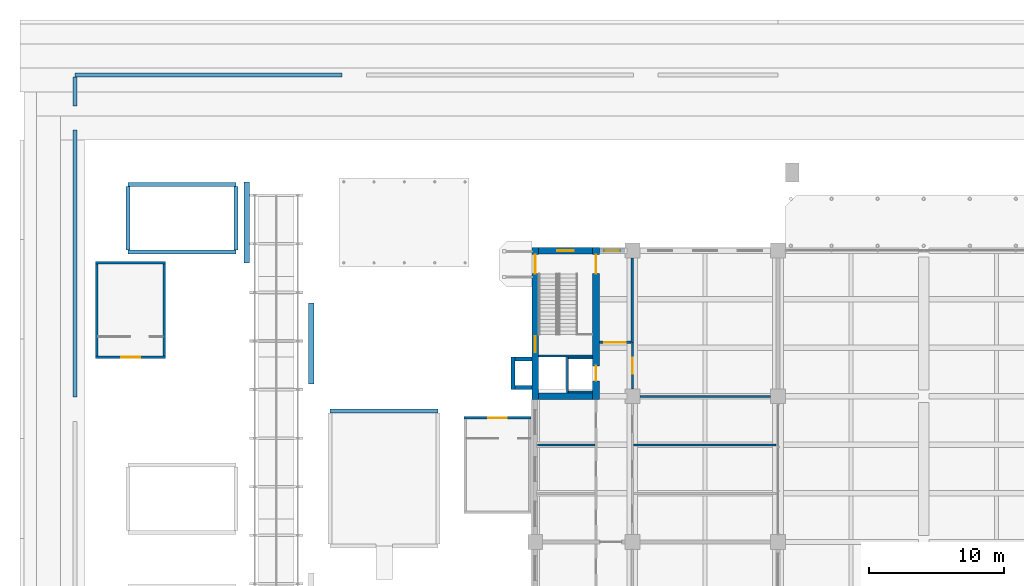
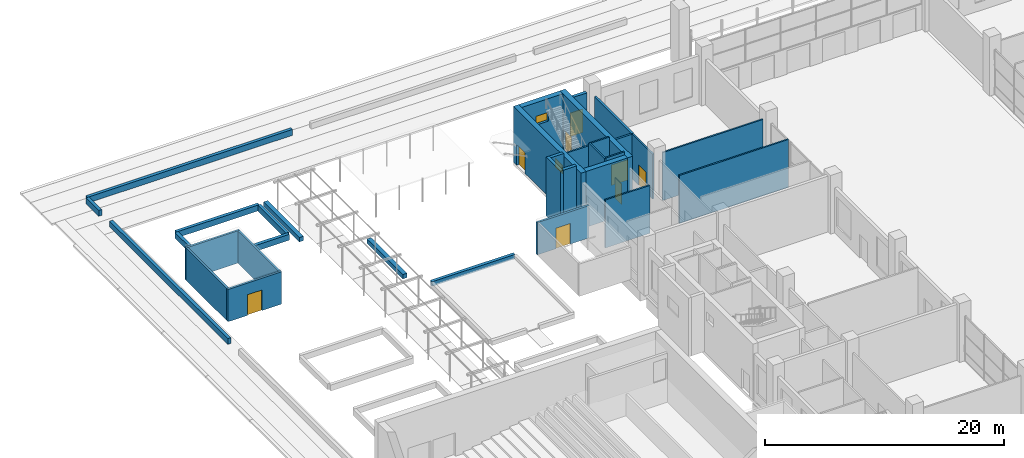
# One storey, part 55 of 71: 33 walls, 7 doors, 3 windows, 10 openings.
"""IFC4 building model written with IfcOpenShell, lengths in metres."""

from ifc_helpers import new_model, si_unit, direction, frame, frame_2d, origin, place, context, subcontext, project, spatial, rectangle, extrude, material, layer, layer_set, type_object, element, fill, save


model = new_model("IFC4")

# Units and contexts
model_context = context("Model", 3, precision=1e-05, world=origin(), true_north=direction((0.0, 1.0)))
body_context = subcontext(model_context, "Body", "Model", "MODEL_VIEW")
ifc_project = project(units=[si_unit("LENGTHUNIT", "METRE"), si_unit("AREAUNIT", "SQUARE_METRE"), si_unit("VOLUMEUNIT", "CUBIC_METRE"), si_unit("PLANEANGLEUNIT", "RADIAN"), si_unit("MASSUNIT", "GRAM", prefix="KILO")], contexts=[model_context])

# Site, building, storey
site_placement = place(None, origin())
site = spatial("IfcSite", under=ifc_project, at=site_placement, CompositionType="ELEMENT")
building_placement = place(site_placement, origin())
building = spatial("IfcBuilding", under=site, at=building_placement, Name="Basin Gate Institute", CompositionType="ELEMENT")
storey_placement = place(building_placement, origin())
storey = spatial("IfcBuildingStorey", under=building, at=storey_placement, Name="L00", CompositionType="ELEMENT", Elevation=0.0)

# Walls
ifc_material_1 = material(Name="Concrete 35 MPa", Category="concrete")
ifc_layer_1 = layer(ifc_material_1, 0.300048828125)
ifc_layer_set_1 = layer_set([ifc_layer_1], Name="Concrete 35 MPa")
wall_type_1 = type_object("IfcWallType", Name="Edge planter wall PL2", PredefinedType="SOLIDWALL", material=ifc_layer_set_1)
wall_1_placement = place(storey_placement, frame((27.090087890625, 112.909912109375, 0.0), z_axis=(0.0, 0.0, 1.0), x_axis=(1.0, 0.0, 0.0)))
element("IfcWall", 1, at=wall_1_placement, inside=storey, type_object=wall_type_1, material=ifc_layer_set_1, Name="Edge planter wall N7", PredefinedType="SOLIDWALL", context=body_context, shape_type="SweptSolid", body=[
    extrude(rectangle(XDim=19.7998046875, YDim=0.300048828125, at=frame_2d((9.89990234375, 0.0))), origin(), (0.0, 0.0, 1.0), 0.60009765625),
])
wall_2_placement = place(storey_placement, frame((27.090087890625, 89.0400390625, 0.0), z_axis=(0.0, 0.0, 1.0), x_axis=(0.0, 1.0, 0.0)))
element("IfcWall", 2, at=wall_2_placement, inside=storey, type_object=wall_type_1, material=ifc_layer_set_1, Name="Edge planter wall W15", PredefinedType="SOLIDWALL", context=body_context, shape_type="SweptSolid", body=[
    extrude(rectangle(XDim=19.800048828125, YDim=0.300048828125, at=frame_2d((9.89990234375, 0.0))), origin(), (0.0, 0.0, 1.0), 0.60009765625),
])
wall_3_placement = place(storey_placement, frame((27.090087890625, 110.639892578125, 0.0), z_axis=(0.0, 0.0, 1.0), x_axis=(0.0, 1.0, 0.0)))
element("IfcWall", 3, at=wall_3_placement, inside=storey, type_object=wall_type_1, material=ifc_layer_set_1, Name="Edge planter wall W16", PredefinedType="SOLIDWALL", context=body_context, shape_type="SweptSolid", body=[
    extrude(rectangle(XDim=2.1201171875, YDim=0.300048828125, at=frame_2d((1.06005859375, 0.0))), origin(), (0.0, 0.0, 1.0), 0.60009765625),
])

# Wall, opening, door
ifc_material_2 = material(Name="Fire-rated masonry", Category="masonry")
ifc_layer_2 = layer(ifc_material_2, 0.199951171875)
ifc_layer_set_2 = layer_set([ifc_layer_2], Name="Enclosure wall PW2 200 EI 60")
wall_type_2 = type_object("IfcWallType", Name="Enclosure wall PW2 200 EI 60", PredefinedType="PARTITIONING", material=ifc_layer_set_2)
wall_4_placement = place(storey_placement, frame((65.949951171875, 93.10009765625, 0.0), z_axis=(0.0, 0.0, 1.0), x_axis=(1.0, 0.0, 0.0)))
wall_4 = element("IfcWall", 4, at=wall_4_placement, inside=storey, type_object=wall_type_2, material=ifc_layer_set_2, Name="Smoke lobby enclosure wall PW2 L00", PredefinedType="PARTITIONING", context=body_context, shape_type="SweptSolid", body=[
    extrude(rectangle(XDim=2.35009765625, YDim=0.199951171875, at=frame_2d((1.175048828125, 0.0))), origin(), (0.0, 0.0, 1.0), 4.60009765625),
])
opening_1_placement = place(wall_4_placement, frame((0.375, 0.0, 0.0)))
opening_1 = element("IfcOpeningElement", 5, at=opening_1_placement, cuts=wall_4, Name="Opening DR042", PredefinedType="OPENING", context=body_context, shape_type="SweptSolid", body=[
    extrude(rectangle(XDim=1.60009765625, YDim=2.10009765625, at=frame_2d((0.800048828125, 1.050048828125))), frame((0.0, 0.10986328125, 0.0), z_axis=(0.0, -1.0, 0.0), x_axis=(1.0, 0.0, 0.0)), (0.0, 0.0, 1.0), 0.219970703125),
])
ifc_material_3 = material(Name="Steel fire door", Category="steel")
door_type_1 = type_object("IfcDoorType", Name="FD60 Smoke lobby door pair D8", OperationType="DOUBLE_DOOR_SINGLE_SWING", PredefinedType="DOOR", material=ifc_material_3)
door_1_placement = place(opening_1_placement, origin())
door_1 = element("IfcDoor", 6, at=door_1_placement, inside=storey, type_object=door_type_1, material=ifc_material_3, Name="Smoke lobby door SS3 L00", OperationType="DOUBLE_DOOR_SINGLE_SWING", OverallHeight=2.10009765625, OverallWidth=1.60009765625, PredefinedType="DOOR", context=body_context, shape_type="SweptSolid", body=[
    extrude(rectangle(XDim=1.60009765625, YDim=2.10009765625, at=frame_2d((0.800048828125, 1.050048828125))), frame((0.0, 0.02490234375, 0.0), z_axis=(0.0, -1.0, 0.0), x_axis=(1.0, 0.0, 0.0)), (0.0, 0.0, 1.0), 0.050048828125),
])
fill(opening_1, door_1)

# Wall
wall_5_placement = place(storey_placement, frame((68.39990234375, 93.10009765625, 0.0), z_axis=(0.0, 0.0, 1.0), x_axis=(0.0, 1.0, 0.0)))
element("IfcWall", 7, at=wall_5_placement, inside=storey, type_object=wall_type_2, material=ifc_layer_set_2, Name="Smoke lobby enclosure wall PW2 L00", PredefinedType="PARTITIONING", context=body_context, shape_type="SweptSolid", body=[
    extrude(rectangle(XDim=6.25, YDim=0.199951171875, at=frame_2d((3.125, 0.0))), origin(), (0.0, 0.0, 1.0), 4.60009765625),
])

# Wall, opening, window
ifc_material_4 = material(Name="Aluminium-faced insulated panel wall", Category="aluminium")
ifc_layer_3 = layer(ifc_material_4, 0.300048828125)
ifc_layer_set_3 = layer_set([ifc_layer_3], Name="External wall EW1 EI 120")
wall_type_3 = type_object("IfcWallType", Name="External wall EW1 EI 120", PredefinedType="STANDARD", material=ifc_layer_set_3)
wall_6_placement = place(storey_placement, frame((65.949951171875, 99.89990234375, 0.0), z_axis=(0.0, 0.0, 1.0), x_axis=(1.0, 0.0, 0.0)))
wall_6 = element("IfcWall", 8, at=wall_6_placement, inside=storey, type_object=wall_type_3, material=ifc_layer_set_3, Name="External end wall W wing north L00 1", PredefinedType="STANDARD", context=body_context, shape_type="SweptSolid", body=[
    extrude(rectangle(XDim=1.900146484375, YDim=0.300048828125, at=frame_2d((0.9501953125, 0.0))), origin(), (0.0, 0.0, 1.0), 4.89990234375),
])
opening_2_placement = place(wall_6_placement, frame((0.35009765625, 0.0, 0.89990234375)))
opening_2 = element("IfcOpeningElement", 9, at=opening_2_placement, cuts=wall_6, Name="Opening WN4", PredefinedType="OPENING", context=body_context, shape_type="SweptSolid", body=[
    extrude(rectangle(XDim=1.199951171875, YDim=2.39990234375, at=frame_2d((0.60009765625, 1.199951171875))), frame((0.0, 0.16015625, 0.0), z_axis=(0.0, -1.0, 0.0), x_axis=(1.0, 0.0, 0.0)), (0.0, 0.0, 1.0), 0.320068359375),
])
ifc_material_5 = material(Name="Aluminium-framed double glazing", Category="aluminium")
window_type_1 = type_object("IfcWindowType", Name="Corridor end window WN4", PartitioningType="SINGLE_PANEL", PredefinedType="WINDOW", material=ifc_material_5)
window_1_placement = place(opening_2_placement, origin())
window_1 = element("IfcWindow", 10, at=window_1_placement, inside=storey, type_object=window_type_1, material=ifc_material_5, Name="Corridor end window W wing N L00", OverallHeight=2.39990234375, OverallWidth=1.199951171875, PartitioningType="SINGLE_PANEL", PredefinedType="WINDOW", context=body_context, shape_type="SweptSolid", body=[
    extrude(rectangle(XDim=1.199951171875, YDim=2.39990234375, at=frame_2d((0.60009765625, 1.199951171875))), frame((0.0, 0.030029296875, 0.0), z_axis=(0.0, -1.0, 0.0), x_axis=(1.0, 0.0, 0.0)), (0.0, 0.0, 1.0), 0.06005859375),
])
fill(opening_2, window_1)

# Wall, opening, door
ifc_material_6 = material(Name="Gypsum board on steel stud", Category="steel")
ifc_layer_4 = layer(ifc_material_6, 0.14990234375)
ifc_layer_set_4 = layer_set([ifc_layer_4], Name="Gypsum board on steel stud")
wall_type_4 = type_object("IfcWallType", Name="Partition PW1 150 EI 60", PredefinedType="PARTITIONING", material=ifc_layer_set_4)
wall_7_placement = place(storey_placement, frame((68.39990234375, 89.64990234375, 0.0), z_axis=(0.0, 0.0, 1.0), x_axis=(0.0, 1.0, 0.0)))
wall_7 = element("IfcWall", 11, at=wall_7_placement, inside=storey, type_object=wall_type_4, material=ifc_layer_set_4, Name="Laboratory corridor wall PW1 L00", PredefinedType="PARTITIONING", context=body_context, shape_type="SweptSolid", body=[
    extrude(rectangle(XDim=3.4501953125, YDim=0.14990234375, at=frame_2d((1.72509765625, 0.0))), origin(), (0.0, 0.0, 1.0), 4.60009765625),
])
opening_3_placement = place(wall_7_placement, frame((1.125, 0.0, 0.0)))
opening_3 = element("IfcOpeningElement", 12, at=opening_3_placement, cuts=wall_7, Name="Opening DR029", PredefinedType="OPENING", context=body_context, shape_type="SweptSolid", body=[
    extrude(rectangle(XDim=1.199951171875, YDim=2.10009765625, at=frame_2d((0.60009765625, 1.050048828125))), frame((0.0, 0.0849609375, 0.0), z_axis=(0.0, -1.0, 0.0), x_axis=(1.0, 0.0, 0.0)), (0.0, 0.0, 1.0), 0.169921875),
])
ifc_material_7 = material(Name="Timber fire door", Category="wood")
door_type_2 = type_object("IfcDoorType", Name="FD30 Laboratory door D2", OperationType="DOUBLE_DOOR_SINGLE_SWING", PredefinedType="DOOR", material=ifc_material_7)
door_2_placement = place(opening_3_placement, frame((1.199951171875, 0.0, 0.0), z_axis=(0.0, 0.0, 1.0), x_axis=(-1.0, 0.0, 0.0)))
door_2 = element("IfcDoor", 13, at=door_2_placement, inside=storey, type_object=door_type_2, material=ifc_material_7, Name="Door to Exhibition Gallery 0024 L00", OperationType="DOUBLE_DOOR_SINGLE_SWING", OverallHeight=2.10009765625, OverallWidth=1.199951171875, PredefinedType="DOOR", context=body_context, shape_type="SweptSolid", body=[
    extrude(rectangle(XDim=1.199951171875, YDim=2.10009765625, at=frame_2d((0.60009765625, 1.050048828125))), frame((0.0, 0.02490234375, 0.0), z_axis=(0.0, -1.0, 0.0), x_axis=(1.0, 0.0, 0.0)), (0.0, 0.0, 1.0), 0.050048828125),
])
fill(opening_3, door_2)

# Walls
wall_8_placement = place(storey_placement, frame((68.47509765625, 85.5, 0.0), z_axis=(0.0, 0.0, 1.0), x_axis=(1.0, 0.0, 0.0)))
element("IfcWall", 14, at=wall_8_placement, inside=storey, type_object=wall_type_4, material=ifc_layer_set_4, Name="Laboratory partition PW1 L00", PredefinedType="PARTITIONING", context=body_context, shape_type="SweptSolid", body=[
    extrude(rectangle(XDim=10.574951171875, YDim=0.14990234375, at=frame_2d((5.28759765625, 0.0))), origin(), (0.0, 0.0, 1.0), 4.89990234375),
])
wall_9_placement = place(storey_placement, frame((68.949951171875, 89.10009765625, 0.0), z_axis=(0.0, 0.0, 1.0), x_axis=(1.0, 0.0, 0.0)))
element("IfcWall", 15, at=wall_9_placement, inside=storey, type_object=wall_type_4, material=ifc_layer_set_4, Name="Laboratory partition PW1 L00", PredefinedType="PARTITIONING", context=body_context, shape_type="SweptSolid", body=[
    extrude(rectangle(XDim=9.699951171875, YDim=0.14990234375, at=frame_2d((4.85009765625, 0.0))), origin(), (0.0, 0.0, 1.0), 4.89990234375),
])
ifc_material_8 = material(Name="Gypsum board on steel stud", Category="steel")
ifc_layer_5 = layer(ifc_material_8, 0.14990234375)
ifc_layer_set_5 = layer_set([ifc_layer_5], Name="Gypsum board on steel stud")
wall_type_5 = type_object("IfcWallType", Name="Partition PW4 150", PredefinedType="PARTITIONING", material=ifc_layer_set_5)
wall_10_placement = place(storey_placement, frame((61.35009765625, 85.5, 0.0), z_axis=(0.0, 0.0, 1.0), x_axis=(1.0, 0.0, 0.0)))
element("IfcWall", 16, at=wall_10_placement, inside=storey, type_object=wall_type_5, material=ifc_layer_set_5, Name="Toilet partition PW4 L00", PredefinedType="PARTITIONING", context=body_context, shape_type="SweptSolid", body=[
    extrude(rectangle(XDim=4.27490234375, YDim=0.14990234375, at=frame_2d((2.137451171875, 0.0))), origin(), (0.0, 0.0, 1.0), 4.89990234375),
])
ifc_material_9 = material(Name="Concrete 35 MPa", Category="concrete")
ifc_layer_6 = layer(ifc_material_9, 0.300048828125)
ifc_layer_set_6 = layer_set([ifc_layer_6], Name="Concrete 35 MPa")
wall_type_6 = type_object("IfcWallType", Name="Planter bed wall PL3", PredefinedType="SOLIDWALL", material=ifc_layer_set_6)
for number, where, z_axis, x_axis, name in (
    (17, (31.0, 99.800048828125, 0.0), (0.0, 0.0, 1.0), (1.0, 0.0, 0.0), "Laboratory Garden planter bed 3 wall (soil 550 mm) S"),
    (18, (31.0, 104.800048828125, 0.0), (0.0, 0.0, 1.0), (1.0, 0.0, 0.0), "Laboratory Garden planter bed 3 wall (soil 550 mm) N"),
):
    element("IfcWall", number, at=place(storey_placement, frame(where, z_axis=z_axis, x_axis=x_axis)), inside=storey, type_object=wall_type_6, material=ifc_layer_set_6, Name=name, PredefinedType="SOLIDWALL", context=body_context, shape_type="SweptSolid", body=[
        extrude(rectangle(XDim=8.0, YDim=0.300048828125, at=frame_2d((4.0, 0.0))), origin(), (0.0, 0.0, 1.0), 0.60009765625),
    ])
for number, where, z_axis, x_axis, name in (
    (19, (31.0, 99.949951171875, 0.0), (0.0, 0.0, 1.0), (0.0, 1.0, 0.0), "Laboratory Garden planter bed 3 wall (soil 550 mm) W"),
    (20, (39.0, 99.949951171875, 0.0), (0.0, 0.0, 1.0), (0.0, 1.0, 0.0), "Laboratory Garden planter bed 3 wall (soil 550 mm) E"),
):
    element("IfcWall", number, at=place(storey_placement, frame(where, z_axis=z_axis, x_axis=x_axis)), inside=storey, type_object=wall_type_6, material=ifc_layer_set_6, Name=name, PredefinedType="SOLIDWALL", context=body_context, shape_type="SweptSolid", body=[
        extrude(rectangle(XDim=4.699951171875, YDim=0.300048828125, at=frame_2d((2.35009765625, 0.0))), origin(), (0.0, 0.0, 1.0), 0.60009765625),
    ])
ifc_material_10 = material(Name="Concrete 35 MPa", Category="concrete")
ifc_layer_7 = layer(ifc_material_10, 0.300048828125)
ifc_layer_set_7 = layer_set([ifc_layer_7], Name="Concrete 35 MPa")
wall_type_7 = type_object("IfcWallType", Name="Rain garden wall RG1", PredefinedType="SOLIDWALL", material=ifc_layer_set_7)
wall_11_placement = place(storey_placement, frame((46.0, 88.0, 0.0), z_axis=(0.0, 0.0, 1.0), x_axis=(1.0, 0.0, 0.0)))
element("IfcWall", 21, at=wall_11_placement, inside=storey, type_object=wall_type_7, material=ifc_layer_set_7, Name="Laboratory Garden rain garden 1 wall N", PredefinedType="SOLIDWALL", context=body_context, shape_type="SweptSolid", body=[
    extrude(rectangle(XDim=8.0, YDim=0.300048828125, at=frame_2d((4.0, 0.0))), origin(), (0.0, 0.0, 1.0), 0.449951171875),
])
ifc_material_11 = material(Name="Concrete 35 MPa", Category="concrete")
ifc_layer_8 = layer(ifc_material_11, 0.39990234375)
ifc_layer_set_8 = layer_set([ifc_layer_8], Name="Concrete 35 MPa")
wall_type_8 = type_object("IfcWallType", Name="Seating wall LW1", PredefinedType="SOLIDWALL", material=ifc_layer_set_8)
for number, where, z_axis, x_axis, name in (
    (22, (44.60009765625, 90.0, 0.0), (0.0, 0.0, 1.0), (0.0, 1.0, 0.0), "Laboratory Garden seating wall 2"),
    (23, (39.800048828125, 99.0, 0.0), (0.0, 0.0, 1.0), (0.0, 1.0, 0.0), "Laboratory Garden seating wall 3"),
):
    element("IfcWall", number, at=place(storey_placement, frame(where, z_axis=z_axis, x_axis=x_axis)), inside=storey, type_object=wall_type_8, material=ifc_layer_set_8, Name=name, PredefinedType="SOLIDWALL", context=body_context, shape_type="SweptSolid", body=[
        extrude(rectangle(XDim=6.0, YDim=0.39990234375, at=frame_2d((3.0, 0.0))), origin(), (0.0, 0.0, 1.0), 0.449951171875),
    ])

# Wall, opening, door
ifc_material_12 = material(Name="Concrete 35 MPa", Category="concrete")
ifc_layer_9 = layer(ifc_material_12, 0.199951171875)
ifc_layer_set_9 = layer_set([ifc_layer_9], Name="Concrete 35 MPa")
wall_type_9 = type_object("IfcWallType", Name="Stair head house wall 200", PredefinedType="SOLIDWALL", material=ifc_layer_set_9)
wall_12_placement = place(storey_placement, frame((55.89990234375, 87.5, 0.0), z_axis=(0.0, 0.0, 1.0), x_axis=(1.0, 0.0, 0.0)))
wall_12 = element("IfcWall", 24, at=wall_12_placement, inside=storey, type_object=wall_type_9, material=ifc_layer_set_9, Name="Stair head house BS2 wall", PredefinedType="SOLIDWALL", context=body_context, shape_type="SweptSolid", body=[
    extrude(rectangle(XDim=5.0, YDim=0.199951171875, at=frame_2d((2.5, 0.0))), origin(), (0.0, 0.0, 1.0), 3.300048828125),
])
opening_4_placement = place(wall_12_placement, frame((1.800048828125, 0.0, 0.0)))
opening_4 = element("IfcOpeningElement", 25, at=opening_4_placement, cuts=wall_12, Name="Opening DB902", PredefinedType="OPENING", context=body_context, shape_type="SweptSolid", body=[
    extrude(rectangle(XDim=1.39990234375, YDim=2.10009765625, at=frame_2d((0.699951171875, 1.050048828125))), frame((0.0, 0.10986328125, 0.0), z_axis=(0.0, -1.0, 0.0), x_axis=(1.0, 0.0, 0.0)), (0.0, 0.0, 1.0), 0.219970703125),
])
ifc_material_13 = material(Name="Steel door set", Category="steel")
door_type_3 = type_object("IfcDoorType", Name="Final exit door 1400x2100", OperationType="DOUBLE_DOOR_SINGLE_SWING", PredefinedType="DOOR", material=ifc_material_13)
door_3_placement = place(opening_4_placement, origin())
door_3 = element("IfcDoor", 26, at=door_3_placement, inside=storey, type_object=door_type_3, material=ifc_material_13, Name="Final exit BS2", OperationType="DOUBLE_DOOR_SINGLE_SWING", OverallHeight=2.10009765625, OverallWidth=1.39990234375, PredefinedType="DOOR", context=body_context, shape_type="SweptSolid", body=[
    extrude(rectangle(XDim=1.39990234375, YDim=2.10009765625, at=frame_2d((0.699951171875, 1.050048828125))), frame((0.0, 0.02490234375, 0.0), z_axis=(0.0, -1.0, 0.0), x_axis=(1.0, 0.0, 0.0)), (0.0, 0.0, 1.0), 0.050048828125),
])
fill(opening_4, door_3)

wall_13_placement = place(storey_placement, frame((28.60009765625, 92.0, 0.0), z_axis=(0.0, 0.0, 1.0), x_axis=(1.0, 0.0, 0.0)))
wall_13 = element("IfcWall", 27, at=wall_13_placement, inside=storey, type_object=wall_type_9, material=ifc_layer_set_9, Name="Stair head house BS5 wall", PredefinedType="SOLIDWALL", context=body_context, shape_type="SweptSolid", body=[
    extrude(rectangle(XDim=5.199951171875, YDim=0.199951171875, at=frame_2d((2.60009765625, 0.0))), origin(), (0.0, 0.0, 1.0), 3.300048828125),
])
opening_5_placement = place(wall_13_placement, frame((1.89990234375, 0.0, 0.0)))
opening_5 = element("IfcOpeningElement", 28, at=opening_5_placement, cuts=wall_13, Name="Opening DB905", PredefinedType="OPENING", context=body_context, shape_type="SweptSolid", body=[
    extrude(rectangle(XDim=1.39990234375, YDim=2.10009765625, at=frame_2d((0.699951171875, 1.050048828125))), frame((0.0, 0.10986328125, 0.0), z_axis=(0.0, -1.0, 0.0), x_axis=(1.0, 0.0, 0.0)), (0.0, 0.0, 1.0), 0.219970703125),
])
door_4_placement = place(opening_5_placement, frame((1.39990234375, 0.0, 0.0), z_axis=(0.0, 0.0, 1.0), x_axis=(-1.0, 0.0, 0.0)))
door_4 = element("IfcDoor", 29, at=door_4_placement, inside=storey, type_object=door_type_3, material=ifc_material_13, Name="Final exit BS5", OperationType="DOUBLE_DOOR_SINGLE_SWING", OverallHeight=2.10009765625, OverallWidth=1.39990234375, PredefinedType="DOOR", context=body_context, shape_type="SweptSolid", body=[
    extrude(rectangle(XDim=1.39990234375, YDim=2.10009765625, at=frame_2d((0.699951171875, 1.050048828125))), frame((0.0, 0.02490234375, 0.0), z_axis=(0.0, -1.0, 0.0), x_axis=(1.0, 0.0, 0.0)), (0.0, 0.0, 1.0), 0.050048828125),
])
fill(opening_5, door_4)

# Walls
wall_14_placement = place(storey_placement, frame((28.60009765625, 99.0, 0.0), z_axis=(0.0, 0.0, 1.0), x_axis=(1.0, 0.0, 0.0)))
element("IfcWall", 30, at=wall_14_placement, inside=storey, type_object=wall_type_9, material=ifc_layer_set_9, Name="Stair head house BS5 wall", PredefinedType="SOLIDWALL", context=body_context, shape_type="SweptSolid", body=[
    extrude(rectangle(XDim=5.199951171875, YDim=0.199951171875, at=frame_2d((2.60009765625, 0.0))), origin(), (0.0, 0.0, 1.0), 3.300048828125),
])
for number, where, z_axis, x_axis, name in (
    (31, (28.699951171875, 92.10009765625, 0.0), (0.0, 0.0, 1.0), (0.0, 1.0, 0.0), "Stair head house BS5 wall"),
    (32, (33.699951171875, 92.10009765625, 0.0), (0.0, 0.0, 1.0), (0.0, 1.0, 0.0), "Stair head house BS5 wall"),
):
    element("IfcWall", number, at=place(storey_placement, frame(where, z_axis=z_axis, x_axis=x_axis)), inside=storey, type_object=wall_type_9, material=ifc_layer_set_9, Name=name, PredefinedType="SOLIDWALL", context=body_context, shape_type="SweptSolid", body=[
        extrude(rectangle(XDim=6.7998046875, YDim=0.199951171875, at=frame_2d((3.39990234375, 0.0))), origin(), (0.0, 0.0, 1.0), 3.300048828125),
    ])
ifc_material_14 = material(Name="Concrete 40 MPa", Category="concrete")
ifc_layer_10 = layer(ifc_material_14, 0.14990234375)
ifc_layer_set_10 = layer_set([ifc_layer_10], Name="Concrete 40 MPa")
wall_type_10 = type_object("IfcWallType", Name="Wall LS1 lift shaft enclosure R180", PredefinedType="SOLIDWALL", material=ifc_layer_set_10)
wall_15_placement = place(storey_placement, frame((63.574951171875, 92.0, 0.0), z_axis=(0.0, 0.0, 1.0), x_axis=(0.0, -1.0, 0.0)))
element("IfcWall", 33, at=wall_15_placement, inside=storey, type_object=wall_type_10, material=ifc_layer_set_10, Name="Lift shaft enclosure LP3 L00 UL", PredefinedType="SOLIDWALL", context=body_context, shape_type="SweptSolid", body=[
    extrude(rectangle(XDim=2.64990234375, YDim=0.14990234375, at=frame_2d((1.324951171875, 0.0))), origin(), (0.0, 0.0, 1.0), 6.0),
])
for number, where, z_axis, x_axis, name in (
    (34, (63.64990234375, 91.925048828125, 0.0), (0.0, 0.0, 1.0), (1.0, 0.0, 0.0), "Lift shaft enclosure LP3 L00 RL"),
    (35, (63.64990234375, 89.425048828125, 0.0), (0.0, 0.0, 1.0), (1.0, 0.0, 0.0), "Lift shaft enclosure LP3 L00 RH"),
):
    element("IfcWall", number, at=place(storey_placement, frame(where, z_axis=z_axis, x_axis=x_axis)), inside=storey, type_object=wall_type_10, material=ifc_layer_set_10, Name=name, PredefinedType="SOLIDWALL", context=body_context, shape_type="SweptSolid", body=[
        extrude(rectangle(XDim=1.800048828125, YDim=0.14990234375, at=frame_2d((0.89990234375, 0.0))), origin(), (0.0, 0.0, 1.0), 6.0),
    ])
ifc_material_15 = material(Name="Concrete 40 MPa", Category="concrete")
ifc_layer_11 = layer(ifc_material_15, 0.14990234375)
ifc_layer_set_11 = layer_set([ifc_layer_11], Name="Concrete 40 MPa")
wall_type_11 = type_object("IfcWallType", Name="Wall SE1 stair enclosure R180", PredefinedType="SOLIDWALL", material=ifc_layer_set_11)
wall_16_placement = place(storey_placement, frame((61.449951171875, 92.074951171875, 0.0), z_axis=(0.0, 0.0, 1.0), x_axis=(1.0, 0.0, 0.0)))
element("IfcWall", 36, at=wall_16_placement, inside=storey, type_object=wall_type_11, material=ifc_layer_set_11, Name="Stair enclosure wall ST-WN L00", PredefinedType="SOLIDWALL", context=body_context, shape_type="SweptSolid", body=[
    extrude(rectangle(XDim=4.0, YDim=0.14990234375, at=frame_2d((2.0, 0.0))), origin(), (0.0, 0.0, 1.0), 5.699951171875),
])
ifc_material_16 = material(Name="Concrete 50 MPa", Category="concrete")
ifc_layer_12 = layer(ifc_material_16, 0.300048828125)
ifc_layer_set_12 = layer_set([ifc_layer_12], Name="Concrete 50 MPa")
wall_type_12 = type_object("IfcWallType", Name="Wall SK1 R180", PredefinedType="SHEAR", material=ifc_layer_set_12)
wall_17_placement = place(storey_placement, frame((59.550048828125, 89.60009765625, 0.0), z_axis=(0.0, 0.0, 1.0), x_axis=(0.0, 1.0, 0.0)))
element("IfcWall", 37, at=wall_17_placement, inside=storey, type_object=wall_type_12, material=ifc_layer_set_12, Name="Spine riser stack wall SK1 WN F L00", PredefinedType="SHEAR", context=body_context, shape_type="SweptSolid", body=[
    extrude(rectangle(XDim=2.39990234375, YDim=0.300048828125, at=frame_2d((1.199951171875, 0.0))), origin(), (0.0, 0.0, 1.0), 6.0),
])
for number, where, z_axis, x_axis, name in (
    (38, (60.949951171875, 89.75, 0.0), (0.0, 0.0, 1.0), (-1.0, 0.0, 0.0), "Spine riser stack wall SK1 WN A L00"),
    (39, (60.949951171875, 91.85009765625, 0.0), (0.0, 0.0, 1.0), (-1.0, 0.0, 0.0), "Spine riser stack wall SK1 WN B L00"),
):
    element("IfcWall", number, at=place(storey_placement, frame(where, z_axis=z_axis, x_axis=x_axis)), inside=storey, type_object=wall_type_12, material=ifc_layer_set_12, Name=name, PredefinedType="SHEAR", context=body_context, shape_type="SweptSolid", body=[
        extrude(rectangle(XDim=1.25, YDim=0.300048828125, at=frame_2d((0.625, 0.0))), origin(), (0.0, 0.0, 1.0), 6.0),
    ])

# Wall, openings, door, window
ifc_material_17 = material(Name="Concrete 60 MPa", Category="concrete")
ifc_layer_13 = layer(ifc_material_17, 0.5)
ifc_layer_set_13 = layer_set([ifc_layer_13], Name="Concrete 60 MPa")
wall_type_13 = type_object("IfcWallType", Name="Wall SW1 R180", PredefinedType="SHEAR", material=ifc_layer_set_13)
wall_18_placement = place(storey_placement, frame((61.199951171875, 88.85009765625, 0.0), z_axis=(0.0, 0.0, 1.0), x_axis=(0.0, 1.0, 0.0)))
wall_18 = element("IfcWall", 40, at=wall_18_placement, inside=storey, type_object=wall_type_13, material=ifc_layer_set_13, Name="WALL/L00/WN/L", PredefinedType="SHEAR", context=body_context, shape_type="SweptSolid", body=[
    extrude(rectangle(XDim=11.2998046875, YDim=0.5, at=frame_2d((5.64990234375, 0.0))), origin(), (0.0, 0.0, 1.0), 5.699951171875),
])
opening_6_placement = place(wall_18_placement, frame((9.35009765625, 0.0, 0.0)))
opening_6 = element("IfcOpeningElement", 41, at=opening_6_placement, cuts=wall_18, Name="Opening DX03", PredefinedType="OPENING", context=body_context, shape_type="SweptSolid", body=[
    extrude(rectangle(XDim=1.39990234375, YDim=2.10009765625, at=frame_2d((0.699951171875, 1.050048828125))), frame((0.0, 0.260009765625, 0.0), z_axis=(0.0, -1.0, 0.0), x_axis=(1.0, 0.0, 0.0)), (0.0, 0.0, 1.0), 0.52001953125),
])
opening_7_placement = place(wall_18_placement, frame((3.52001953125, 0.0, 3.39990234375)))
opening_7 = element("IfcOpeningElement", 42, at=opening_7_placement, cuts=wall_18, Name="Opening WT1", PredefinedType="OPENING", context=body_context, shape_type="SweptSolid", body=[
    extrude(rectangle(XDim=1.199951171875, YDim=0.89990234375, at=frame_2d((0.60009765625, 0.449951171875))), frame((0.0, 0.260009765625, 0.0), z_axis=(0.0, -1.0, 0.0), x_axis=(1.0, 0.0, 0.0)), (0.0, 0.0, 1.0), 0.52001953125),
])
ifc_material_18 = material(Name="Steel fire door", Category="steel")
door_type_4 = type_object("IfcDoorType", Name="FD60 Final exit door DX", OperationType="DOUBLE_DOOR_SINGLE_SWING", PredefinedType="DOOR", material=ifc_material_18)
door_5_placement = place(opening_6_placement, origin())
door_5 = element("IfcDoor", 43, at=door_5_placement, inside=storey, type_object=door_type_4, material=ifc_material_18, Name="Final exit ST-WN to the plaza", OperationType="DOUBLE_DOOR_SINGLE_SWING", OverallHeight=2.10009765625, OverallWidth=1.39990234375, PredefinedType="DOOR", context=body_context, shape_type="SweptSolid", body=[
    extrude(rectangle(XDim=1.39990234375, YDim=2.10009765625, at=frame_2d((0.699951171875, 1.050048828125))), frame((0.0, 0.02490234375, 0.0), z_axis=(0.0, -1.0, 0.0), x_axis=(1.0, 0.0, 0.0)), (0.0, 0.0, 1.0), 0.050048828125),
])
fill(opening_6, door_5)
ifc_material_19 = material(Name="Fire-resistant glazing in steel-free frame", Category="steel")
window_type_2 = type_object("IfcWindowType", Name="Rated stair window EI 180 WT1", PartitioningType="SINGLE_PANEL", PredefinedType="WINDOW", material=ifc_material_19)
window_2_placement = place(opening_7_placement, origin())
window_2 = element("IfcWindow", 44, at=window_2_placement, inside=storey, type_object=window_type_2, material=ifc_material_19, Name="Rated stair window EI 180 WN landing L00", OverallHeight=0.89990234375, OverallWidth=1.199951171875, PartitioningType="SINGLE_PANEL", PredefinedType="WINDOW", context=body_context, shape_type="SweptSolid", body=[
    extrude(rectangle(XDim=1.199951171875, YDim=0.89990234375, at=frame_2d((0.60009765625, 0.449951171875))), frame((0.0, 0.030029296875, 0.0), z_axis=(0.0, -1.0, 0.0), x_axis=(1.0, 0.0, 0.0)), (0.0, 0.0, 1.0), 0.06005859375),
])
fill(opening_7, window_2)

# Wall, openings, doors
wall_19_placement = place(storey_placement, frame((65.699951171875, 88.85009765625, 0.0), z_axis=(0.0, 0.0, 1.0), x_axis=(0.0, 1.0, 0.0)))
wall_19 = element("IfcWall", 45, at=wall_19_placement, inside=storey, type_object=wall_type_13, material=ifc_layer_set_13, Name="WALL/L00/WN/C", PredefinedType="SHEAR", context=body_context, shape_type="SweptSolid", body=[
    extrude(rectangle(XDim=11.2998046875, YDim=0.5, at=frame_2d((5.64990234375, 0.0))), origin(), (0.0, 0.0, 1.0), 5.699951171875),
])
opening_8_placement = place(wall_19_placement, frame((9.35009765625, 0.0, 0.0)))
opening_8 = element("IfcOpeningElement", 46, at=opening_8_placement, cuts=wall_19, Name="Opening DS003", PredefinedType="OPENING", context=body_context, shape_type="SweptSolid", body=[
    extrude(rectangle(XDim=1.39990234375, YDim=2.10009765625, at=frame_2d((0.699951171875, 1.050048828125))), frame((0.0, 0.260009765625, 0.0), z_axis=(0.0, -1.0, 0.0), x_axis=(1.0, 0.0, 0.0)), (0.0, 0.0, 1.0), 0.52001953125),
])
opening_9_placement = place(wall_19_placement, frame((1.39990234375, 0.0, 0.0)))
opening_9 = element("IfcOpeningElement", 47, at=opening_9_placement, cuts=wall_19, Name="Opening LD055", PredefinedType="OPENING", context=body_context, shape_type="SweptSolid", body=[
    extrude(rectangle(XDim=1.10009765625, YDim=2.10009765625, at=frame_2d((0.550048828125, 1.050048828125))), frame((0.0, 0.260009765625, 0.0), z_axis=(0.0, -1.0, 0.0), x_axis=(1.0, 0.0, 0.0)), (0.0, 0.0, 1.0), 0.52001953125),
])
ifc_material_20 = material(Name="Steel fire door", Category="steel")
door_type_5 = type_object("IfcDoorType", Name="FD60 Exit-level stair enclosure door DSX", OperationType="DOUBLE_DOOR_SINGLE_SWING", PredefinedType="DOOR", material=ifc_material_20)
door_6_placement = place(opening_8_placement, origin())
door_6 = element("IfcDoor", 48, at=door_6_placement, inside=storey, type_object=door_type_5, material=ifc_material_20, Name="Stair enclosure door ST-WN L00", OperationType="DOUBLE_DOOR_SINGLE_SWING", OverallHeight=2.10009765625, OverallWidth=1.39990234375, PredefinedType="DOOR", context=body_context, shape_type="SweptSolid", body=[
    extrude(rectangle(XDim=1.39990234375, YDim=2.10009765625, at=frame_2d((0.699951171875, 1.050048828125))), frame((0.0, 0.02490234375, 0.0), z_axis=(0.0, -1.0, 0.0), x_axis=(1.0, 0.0, 0.0)), (0.0, 0.0, 1.0), 0.050048828125),
])
fill(opening_8, door_6)
ifc_material_21 = material(Name="Stainless steel", Category="steel")
door_type_6 = type_object("IfcDoorType", Name="FD60 Lift landing door LD", OperationType="SLIDING_TO_LEFT", PredefinedType="DOOR", material=ifc_material_21)
door_7_placement = place(opening_9_placement, origin())
door_7 = element("IfcDoor", 49, at=door_7_placement, inside=storey, type_object=door_type_6, material=ifc_material_21, Name="Lift landing door LP3 L00", OperationType="SLIDING_TO_LEFT", OverallHeight=2.10009765625, OverallWidth=1.10009765625, PredefinedType="DOOR", context=body_context, shape_type="SweptSolid", body=[
    extrude(rectangle(XDim=1.10009765625, YDim=2.10009765625, at=frame_2d((0.550048828125, 1.050048828125))), frame((0.0, 0.02490234375, 0.0), z_axis=(0.0, -1.0, 0.0), x_axis=(1.0, 0.0, 0.0)), (0.0, 0.0, 1.0), 0.050048828125),
])
fill(opening_9, door_7)

# Wall
wall_20_placement = place(storey_placement, frame((61.449951171875, 89.10009765625, 0.0), z_axis=(0.0, 0.0, 1.0), x_axis=(1.0, 0.0, 0.0)))
element("IfcWall", 50, at=wall_20_placement, inside=storey, type_object=wall_type_13, material=ifc_layer_set_13, Name="WALL/L00/WN/S", PredefinedType="SHEAR", context=body_context, shape_type="SweptSolid", body=[
    extrude(rectangle(XDim=4.0, YDim=0.5, at=frame_2d((2.0, 0.0))), origin(), (0.0, 0.0, 1.0), 5.699951171875),
])

# Wall, opening, window
wall_21_placement = place(storey_placement, frame((61.449951171875, 99.89990234375, 0.0), z_axis=(0.0, 0.0, 1.0), x_axis=(1.0, 0.0, 0.0)))
wall_21 = element("IfcWall", 51, at=wall_21_placement, inside=storey, type_object=wall_type_13, material=ifc_layer_set_13, Name="WALL/L00/WN/N", PredefinedType="SHEAR", context=body_context, shape_type="SweptSolid", body=[
    extrude(rectangle(XDim=4.0, YDim=0.5, at=frame_2d((2.0, 0.0))), origin(), (0.0, 0.0, 1.0), 5.699951171875),
])
opening_10_placement = place(wall_21_placement, frame((1.39990234375, 0.0, 3.39990234375)))
opening_10 = element("IfcOpeningElement", 52, at=opening_10_placement, cuts=wall_21, Name="Opening WT1", PredefinedType="OPENING", context=body_context, shape_type="SweptSolid", body=[
    extrude(rectangle(XDim=1.199951171875, YDim=0.89990234375, at=frame_2d((0.60009765625, 0.449951171875))), frame((0.0, 0.260009765625, 0.0), z_axis=(0.0, -1.0, 0.0), x_axis=(1.0, 0.0, 0.0)), (0.0, 0.0, 1.0), 0.52001953125),
])
window_3_placement = place(opening_10_placement, origin())
window_3 = element("IfcWindow", 53, at=window_3_placement, inside=storey, type_object=window_type_2, material=ifc_material_19, Name="Rated stair window EI 180 WN end L00", OverallHeight=0.89990234375, OverallWidth=1.199951171875, PartitioningType="SINGLE_PANEL", PredefinedType="WINDOW", context=body_context, shape_type="SweptSolid", body=[
    extrude(rectangle(XDim=1.199951171875, YDim=0.89990234375, at=frame_2d((0.60009765625, 0.449951171875))), frame((0.0, 0.030029296875, 0.0), z_axis=(0.0, -1.0, 0.0), x_axis=(1.0, 0.0, 0.0)), (0.0, 0.0, 1.0), 0.06005859375),
])
fill(opening_10, window_3)

save(model, "model.ifc")
